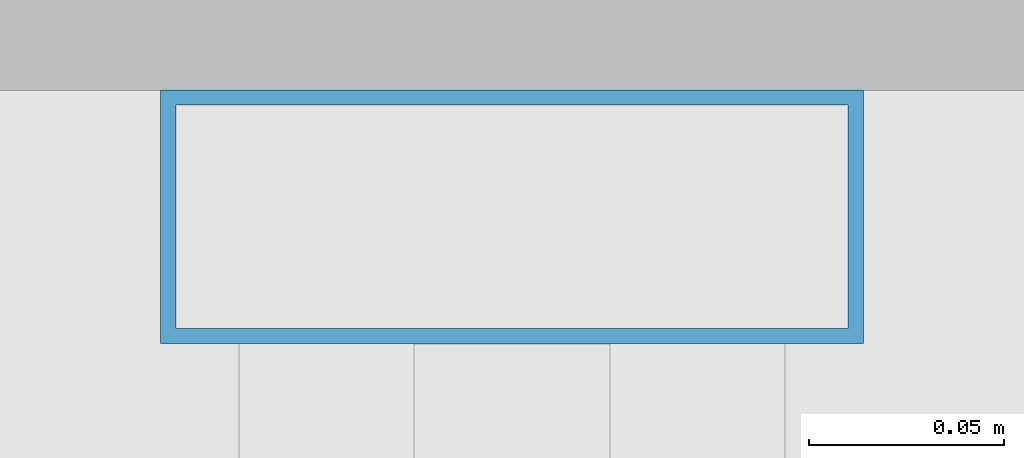
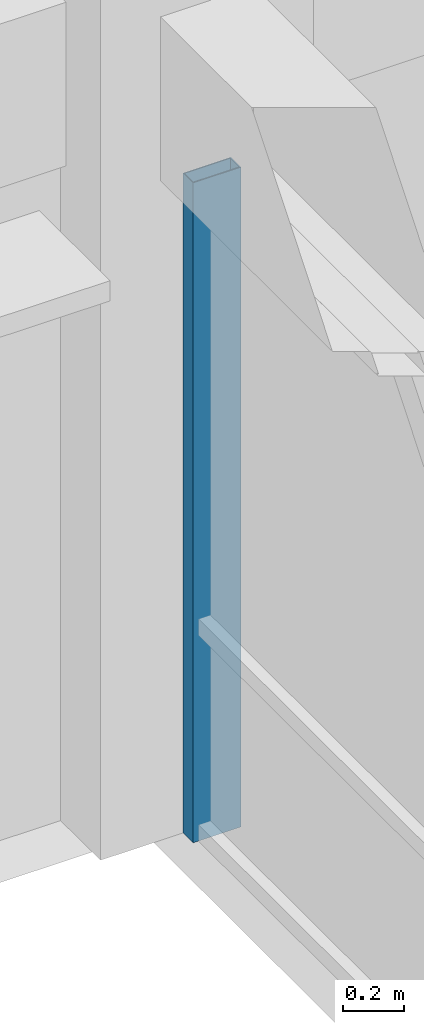
# One storey, part 23 of 50: 1 member, 1 element without a shape of its own.
"""IFC4 building model written with IfcOpenShell, lengths in metres."""

from ifc_helpers import new_model, si_unit, direction, frame, origin, origin_2d, place, context, subcontext, project, spatial, hollow_rectangle, extrude, material, material_profile, profile_set, type_object, element, aggregate, save


model = new_model("IFC4")

# Units and contexts
model_context = context("Model", 3, precision=1e-05, world=origin(), true_north=direction((0.0, 1.0)))
body_context = subcontext(model_context, "Body", "Model", "MODEL_VIEW")
ifc_project = project(units=[si_unit("LENGTHUNIT", "METRE"), si_unit("AREAUNIT", "SQUARE_METRE"), si_unit("VOLUMEUNIT", "CUBIC_METRE"), si_unit("PLANEANGLEUNIT", "RADIAN"), si_unit("MASSUNIT", "GRAM", prefix="KILO"), si_unit("THERMODYNAMICTEMPERATUREUNIT", "KELVIN"), si_unit("POWERUNIT", "WATT")], contexts=[model_context])

# Site, building, storey
site_placement = place(None, origin())
site = spatial("IfcSite", under=ifc_project, at=site_placement, CompositionType="ELEMENT")
building_placement = place(site_placement, origin())
building = spatial("IfcBuilding", under=site, at=building_placement, Name="Srebrne Nadtorze General Hospital", CompositionType="ELEMENT")
storey_placement = place(building_placement, frame((0.0, 0.0, 14.39990234375)))
storey = spatial("IfcBuildingStorey", under=building, at=storey_placement, Name="L03", CompositionType="ELEMENT", Elevation=14.39990234375)

# Curtain wall, member
ifc_material_1 = material(Name="Anodised Aluminium", Category="aluminium")
curtain_wall_type = type_object("IfcCurtainWallType", Name="Unitised curtain wall 7600x2620", PredefinedType="NOTDEFINED", material=ifc_material_1)
curtain_wall_placement = place(storey_placement, origin())
curtain_wall = element("IfcCurtainWall", 1, at=curtain_wall_placement, inside=storey, type_object=curtain_wall_type, Name="Curtain wall CW-097", PredefinedType="NOTDEFINED")
ifc_material_2 = material(Name="Anodised Aluminium", Category="aluminium")
ifc_material_profile = material_profile(ifc_material_2, hollow_rectangle(XDim=0.06494140625, YDim=0.179931640625, WallThickness=0.00390625, at=origin_2d()), Name="AL-MUL-65x180")
ifc_profile_set = profile_set([ifc_material_profile], Name="Anodised Aluminium")
member_type = type_object("IfcMemberType", Name="Curtain mullion 65x180", PredefinedType="MULLION", material=ifc_profile_set)
member_placement = place(storey_placement, frame((101.39990234375, 49.967529296875, 0.0), z_axis=(0.0, 0.0, 1.0), x_axis=(0.0, 1.0, 0.0)))
member = element("IfcMember", 2, at=member_placement, type_object=member_type, Name="CW-097 mullion 3", PredefinedType="MULLION", context=body_context, shape_type="SweptSolid", body=[
    extrude(hollow_rectangle(XDim=0.06494140625, YDim=0.179931640625, WallThickness=0.00390625, at=origin_2d()), origin(), (0.0, 0.0, 1.0), 2.6201171875),
])
aggregate(curtain_wall, [member])

save(model, "model.ifc")
